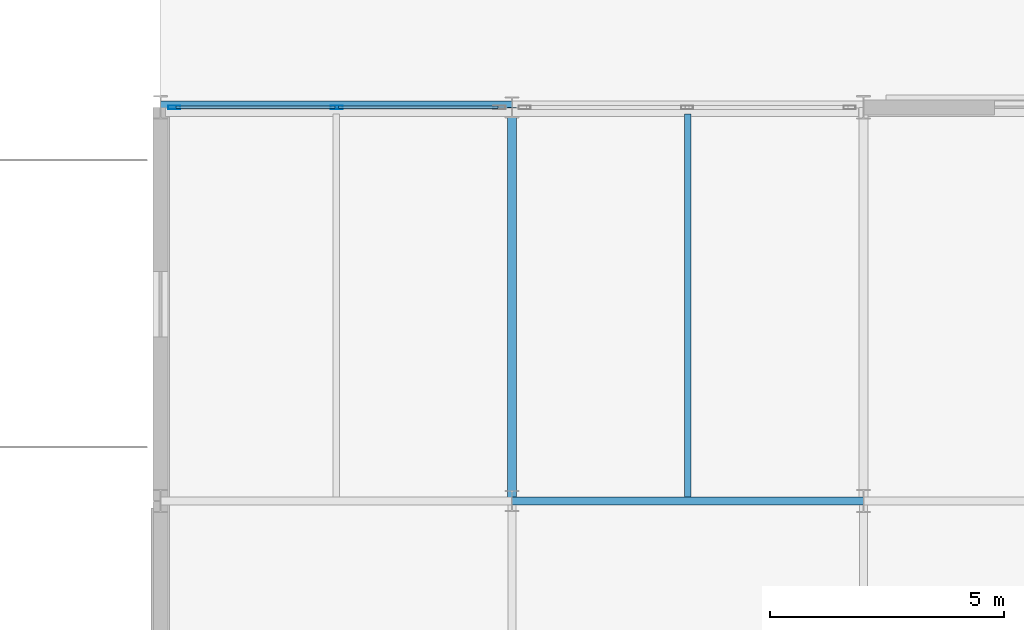
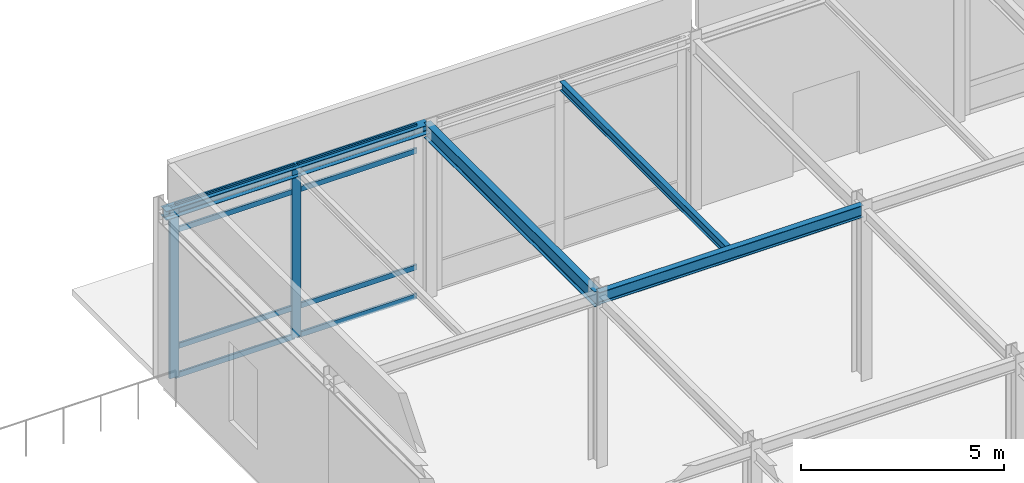
# One storey, part 31 of 89: 10 members, 4 beams, 1 element without a shape of its own.
"""IFC4 building model written with IfcOpenShell, lengths in metres."""

from ifc_helpers import new_model, si_unit, direction, frame, origin, origin_2d, place, context, subcontext, project, spatial, hollow_rectangle, i_section, extrude, material, layer, layer_set, material_profile, profile_set, type_object, element, aggregate, save


model = new_model("IFC4")

# Units and contexts
model_context = context("Model", 3, precision=1e-05, world=origin(), true_north=direction((0.0, 1.0)))
body_context = subcontext(model_context, "Body", "Model", "MODEL_VIEW")
ifc_project = project(units=[si_unit("LENGTHUNIT", "METRE"), si_unit("AREAUNIT", "SQUARE_METRE"), si_unit("VOLUMEUNIT", "CUBIC_METRE"), si_unit("PLANEANGLEUNIT", "RADIAN"), si_unit("MASSUNIT", "GRAM", prefix="KILO")], contexts=[model_context])

# Site, building, storey
site_placement = place(None, origin())
site = spatial("IfcSite", under=ifc_project, at=site_placement, CompositionType="ELEMENT")
building_placement = place(site_placement, origin())
building = spatial("IfcBuilding", under=site, at=building_placement, Name="Shalkamar Park Central Library", CompositionType="ELEMENT")
storey_placement = place(building_placement, origin())
storey = spatial("IfcBuildingStorey", under=building, at=storey_placement, Name="L01", CompositionType="ELEMENT", Elevation=0.0)

# Beam
ifc_material_1 = material(Name="Steel S355", Category="steel")
ifc_material_profile_1 = material_profile(ifc_material_1, i_section(OverallWidth=0.135009765625, OverallDepth=0.27001953125, WebThickness=0.006591796875, FlangeThickness=0.01025390625, FilletRadius=0.014892578125, at=origin_2d()), Name="IPE 270")
ifc_profile_set_1 = profile_set([ifc_material_profile_1], Name="Steel S355")
beam_type_1 = type_object("IfcBeamType", Name="Composite Floor Joist IPE270", PredefinedType="JOIST", material=ifc_profile_set_1)
beam_1_placement = place(storey_placement, frame((131.25, 345.68310546875, 5.014892578125), z_axis=(0.0, 1.0, 0.0), x_axis=(-1.0, 0.0, 0.0)))
element("IfcBeam", 1, at=beam_1_placement, inside=storey, type_object=beam_type_1, Name="Composite Joist 02/Q-1 (L01)", PredefinedType="JOIST", context=body_context, shape_type="SweptSolid", body=[
    extrude(i_section(OverallWidth=0.135009765625, OverallDepth=0.27001953125, WebThickness=0.006591796875, FlangeThickness=0.01025390625, FilletRadius=0.014892578125, at=origin_2d()), origin(), (0.0, 0.0, 1.0), 8.178955078125),
])

# Curtain wall, members
ifc_material_2 = material(Name="Thermally broken aluminium and triple low-e curtain wall", Category="aluminium")
ifc_layer = layer(ifc_material_2, 0.260009765625)
ifc_layer_set = layer_set([ifc_layer], Name="UnitisedCurtainWall_04")
curtain_wall_type = type_object("IfcCurtainWallType", Name="Unitised Curtain Wall 04", PredefinedType="USERDEFINED", material=ifc_layer_set)
curtain_wall_placement = place(storey_placement, origin())
curtain_wall = element("IfcCurtainWall", 2, at=curtain_wall_placement, inside=storey, type_object=curtain_wall_type, Name="Unitised Curtain Wall CW-L01-004", ObjectType="UNITISED CURTAIN WALL", PredefinedType="USERDEFINED")
ifc_material_3 = material(Name="Aluminium 6060-T66", Category="aluminium")
ifc_material_profile_2 = material_profile(ifc_material_3, hollow_rectangle(XDim=0.074951171875, YDim=0.260009765625, WallThickness=0.00439453125, InnerFilletRadius=0.00439453125, OuterFilletRadius=0.0068359375, at=origin_2d()), Name="ALU 75x260x4.5")
ifc_profile_set_2 = profile_set([ifc_material_profile_2], Name="Aluminium 6060-T66")
member_type_1 = type_object("IfcMemberType", Name="Curtain Wall Mullion ALU75x260", PredefinedType="MULLION", material=ifc_profile_set_2)
member_1_placement = place(storey_placement, frame((120.29150390625, 354.0, 0.0), z_axis=(0.0, 0.0, 1.0), x_axis=(0.0, 1.0, 0.0)))
member_1 = element("IfcMember", 3, at=member_1_placement, type_object=member_type_1, Name="CW-04 mullion 1", PredefinedType="MULLION", context=body_context, shape_type="SweptSolid", body=[
    extrude(hollow_rectangle(XDim=0.074951171875, YDim=0.260009765625, WallThickness=0.00439453125, InnerFilletRadius=0.00439453125, OuterFilletRadius=0.0068359375, at=origin_2d()), origin(), (0.0, 0.0, 1.0), 5.14990234375),
])
member_2_placement = place(storey_placement, frame((123.762451171875, 354.0, 0.0), z_axis=(0.0, 0.0, 1.0), x_axis=(0.0, 1.0, 0.0)))
member_2 = element("IfcMember", 4, at=member_2_placement, type_object=member_type_1, Name="CW-04 mullion 2", PredefinedType="MULLION", context=body_context, shape_type="SweptSolid", body=[
    extrude(hollow_rectangle(XDim=0.074951171875, YDim=0.260009765625, WallThickness=0.00439453125, InnerFilletRadius=0.00439453125, OuterFilletRadius=0.0068359375, at=origin_2d()), origin(), (0.0, 0.0, 1.0), 5.14990234375),
])
ifc_material_profile_3 = material_profile(ifc_material_3, hollow_rectangle(XDim=0.06005859375, YDim=0.1650390625, WallThickness=0.00390625, InnerFilletRadius=0.00390625, OuterFilletRadius=0.006103515625, at=origin_2d()), Name="ALU 60x165x4")
ifc_profile_set_3 = profile_set([ifc_material_profile_3], Name="Aluminium 6060-T66")
member_type_2 = type_object("IfcMemberType", Name="Curtain Wall Transom ALU60x165", PredefinedType="USERDEFINED", material=ifc_profile_set_3)
member_3_placement = place(storey_placement, frame((120.3291015625, 354.0, 0.030029296875), z_axis=(1.0, 0.0, 0.0), x_axis=(0.0, 1.0, 0.0)))
member_3 = element("IfcMember", 5, at=member_3_placement, type_object=member_type_2, Name="CW-04 transom 1.1", ObjectType="TRANSOM", PredefinedType="USERDEFINED", context=body_context, shape_type="SweptSolid", body=[
    extrude(hollow_rectangle(XDim=0.06005859375, YDim=0.1650390625, WallThickness=0.00390625, InnerFilletRadius=0.00390625, OuterFilletRadius=0.006103515625, at=origin_2d()), origin(), (0.0, 0.0, 1.0), 3.39599609375),
])
member_4_placement = place(storey_placement, frame((120.3291015625, 354.0, 0.89990234375), z_axis=(1.0, 0.0, 0.0), x_axis=(0.0, 1.0, 0.0)))
member_4 = element("IfcMember", 6, at=member_4_placement, type_object=member_type_2, Name="CW-04 transom 1.2", ObjectType="TRANSOM", PredefinedType="USERDEFINED", context=body_context, shape_type="SweptSolid", body=[
    extrude(hollow_rectangle(XDim=0.06005859375, YDim=0.1650390625, WallThickness=0.00390625, InnerFilletRadius=0.00390625, OuterFilletRadius=0.006103515625, at=origin_2d()), origin(), (0.0, 0.0, 1.0), 3.39599609375),
])
member_5_placement = place(storey_placement, frame((120.3291015625, 354.0, 4.39990234375), z_axis=(1.0, 0.0, 0.0), x_axis=(0.0, 1.0, 0.0)))
member_5 = element("IfcMember", 7, at=member_5_placement, type_object=member_type_2, Name="CW-04 transom 1.3", ObjectType="TRANSOM", PredefinedType="USERDEFINED", context=body_context, shape_type="SweptSolid", body=[
    extrude(hollow_rectangle(XDim=0.06005859375, YDim=0.1650390625, WallThickness=0.00390625, InnerFilletRadius=0.00390625, OuterFilletRadius=0.006103515625, at=origin_2d()), origin(), (0.0, 0.0, 1.0), 3.39599609375),
])
member_6_placement = place(storey_placement, frame((120.3291015625, 354.0, 5.1201171875), z_axis=(1.0, 0.0, 0.0), x_axis=(0.0, 1.0, 0.0)))
member_6 = element("IfcMember", 8, at=member_6_placement, type_object=member_type_2, Name="CW-04 transom 1.4", ObjectType="TRANSOM", PredefinedType="USERDEFINED", context=body_context, shape_type="SweptSolid", body=[
    extrude(hollow_rectangle(XDim=0.06005859375, YDim=0.1650390625, WallThickness=0.00390625, InnerFilletRadius=0.00390625, OuterFilletRadius=0.006103515625, at=origin_2d()), origin(), (0.0, 0.0, 1.0), 3.39599609375),
])
member_7_placement = place(storey_placement, frame((123.800048828125, 354.0, 0.030029296875), z_axis=(1.0, 0.0, 0.0), x_axis=(0.0, 1.0, 0.0)))
member_7 = element("IfcMember", 9, at=member_7_placement, type_object=member_type_2, Name="CW-04 transom 2.1", ObjectType="TRANSOM", PredefinedType="USERDEFINED", context=body_context, shape_type="SweptSolid", body=[
    extrude(hollow_rectangle(XDim=0.06005859375, YDim=0.1650390625, WallThickness=0.00390625, InnerFilletRadius=0.00390625, OuterFilletRadius=0.006103515625, at=origin_2d()), origin(), (0.0, 0.0, 1.0), 3.39599609375),
])
member_8_placement = place(storey_placement, frame((123.800048828125, 354.0, 0.89990234375), z_axis=(1.0, 0.0, 0.0), x_axis=(0.0, 1.0, 0.0)))
member_8 = element("IfcMember", 10, at=member_8_placement, type_object=member_type_2, Name="CW-04 transom 2.2", ObjectType="TRANSOM", PredefinedType="USERDEFINED", context=body_context, shape_type="SweptSolid", body=[
    extrude(hollow_rectangle(XDim=0.06005859375, YDim=0.1650390625, WallThickness=0.00390625, InnerFilletRadius=0.00390625, OuterFilletRadius=0.006103515625, at=origin_2d()), origin(), (0.0, 0.0, 1.0), 3.39599609375),
])
member_9_placement = place(storey_placement, frame((123.800048828125, 354.0, 4.39990234375), z_axis=(1.0, 0.0, 0.0), x_axis=(0.0, 1.0, 0.0)))
member_9 = element("IfcMember", 11, at=member_9_placement, type_object=member_type_2, Name="CW-04 transom 2.3", ObjectType="TRANSOM", PredefinedType="USERDEFINED", context=body_context, shape_type="SweptSolid", body=[
    extrude(hollow_rectangle(XDim=0.06005859375, YDim=0.1650390625, WallThickness=0.00390625, InnerFilletRadius=0.00390625, OuterFilletRadius=0.006103515625, at=origin_2d()), origin(), (0.0, 0.0, 1.0), 3.39599609375),
])
member_10_placement = place(storey_placement, frame((123.800048828125, 354.0, 5.1201171875), z_axis=(1.0, 0.0, 0.0), x_axis=(0.0, 1.0, 0.0)))
member_10 = element("IfcMember", 12, at=member_10_placement, type_object=member_type_2, Name="CW-04 transom 2.4", ObjectType="TRANSOM", PredefinedType="USERDEFINED", context=body_context, shape_type="SweptSolid", body=[
    extrude(hollow_rectangle(XDim=0.06005859375, YDim=0.1650390625, WallThickness=0.00390625, InnerFilletRadius=0.00390625, OuterFilletRadius=0.006103515625, at=origin_2d()), origin(), (0.0, 0.0, 1.0), 3.39599609375),
])
aggregate(curtain_wall, [member_1, member_2, member_3, member_4, member_5, member_6, member_7, member_8, member_9, member_10])

# Beams
ifc_material_profile_4 = material_profile(ifc_material_1, i_section(OverallWidth=0.280029296875, OverallDepth=0.27001953125, WebThickness=0.008056640625, FlangeThickness=0.012939453125, FilletRadius=0.02392578125, at=origin_2d()), Name="HEA 280")
ifc_profile_set_4 = profile_set([ifc_material_profile_4], Name="Steel S355")
beam_type_2 = type_object("IfcBeamType", Name="Perimeter Spandrel Beam HEA280", PredefinedType="SPANDREL", material=ifc_profile_set_4)
beam_2_placement = place(storey_placement, frame((120.0, 354.0, 5.014892578125), z_axis=(1.0, 0.0, 0.0), x_axis=(0.0, 1.0, 0.0)))
element("IfcBeam", 13, at=beam_2_placement, inside=storey, type_object=beam_type_2, Name="Beam R:01-02 (L01)", PredefinedType="SPANDREL", context=body_context, shape_type="SweptSolid", body=[
    extrude(i_section(OverallWidth=0.280029296875, OverallDepth=0.27001953125, WebThickness=0.008056640625, FlangeThickness=0.012939453125, FilletRadius=0.02392578125, at=origin_2d()), origin(), (0.0, 0.0, 1.0), 7.5),
])
ifc_material_profile_5 = material_profile(ifc_material_1, i_section(OverallWidth=0.169921875, OverallDepth=0.360107421875, WebThickness=0.008056640625, FlangeThickness=0.0126953125, FilletRadius=0.01806640625, at=origin_2d()), Name="IPE 360")
ifc_profile_set_5 = profile_set([ifc_material_profile_5], Name="Steel S355")
beam_type_3 = type_object("IfcBeamType", Name="Primary Girder IPE360", PredefinedType="BEAM", material=ifc_profile_set_5)
beam_3_placement = place(storey_placement, frame((127.5, 345.60009765625, 4.969970703125), z_axis=(1.0, 0.0, 0.0), x_axis=(0.0, 1.0, 0.0)))
element("IfcBeam", 14, at=beam_3_placement, inside=storey, type_object=beam_type_3, Name="Beam Q:02-03 (L01)", PredefinedType="BEAM", context=body_context, shape_type="SweptSolid", body=[
    extrude(i_section(OverallWidth=0.169921875, OverallDepth=0.360107421875, WebThickness=0.008056640625, FlangeThickness=0.0126953125, FilletRadius=0.01806640625, at=origin_2d()), origin(), (0.0, 0.0, 1.0), 7.5),
])
ifc_material_profile_6 = material_profile(ifc_material_1, i_section(OverallWidth=0.18994140625, OverallDepth=0.449951171875, WebThickness=0.009521484375, FlangeThickness=0.0146484375, FilletRadius=0.02099609375, at=origin_2d()), Name="IPE 450")
ifc_profile_set_6 = profile_set([ifc_material_profile_6], Name="Steel S355")
beam_type_4 = type_object("IfcBeamType", Name="Primary Girder IPE450", PredefinedType="BEAM", material=ifc_profile_set_6)
beam_4_placement = place(storey_placement, frame((127.5, 345.60009765625, 4.925048828125), z_axis=(0.0, 1.0, 0.0), x_axis=(-1.0, 0.0, 0.0)))
element("IfcBeam", 15, at=beam_4_placement, inside=storey, type_object=beam_type_4, Name="Beam 02:Q-R (L01)", PredefinedType="BEAM", context=body_context, shape_type="SweptSolid", body=[
    extrude(i_section(OverallWidth=0.18994140625, OverallDepth=0.449951171875, WebThickness=0.009521484375, FlangeThickness=0.0146484375, FilletRadius=0.02099609375, at=origin_2d()), origin(), (0.0, 0.0, 1.0), 8.39990234375),
])

save(model, "model.ifc")
